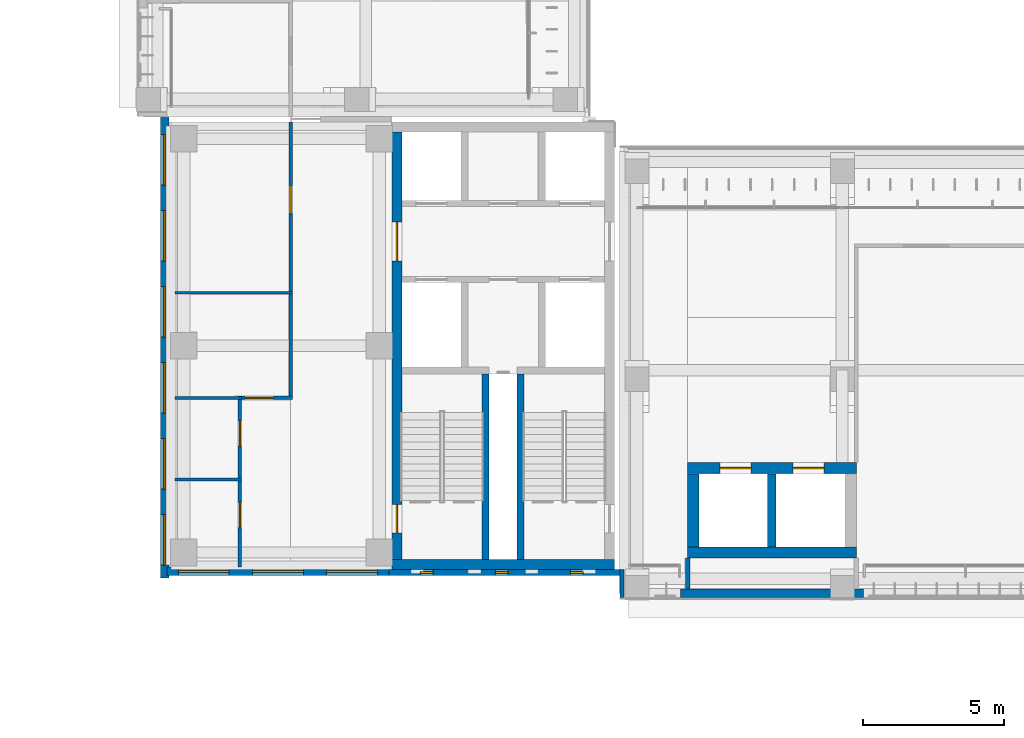
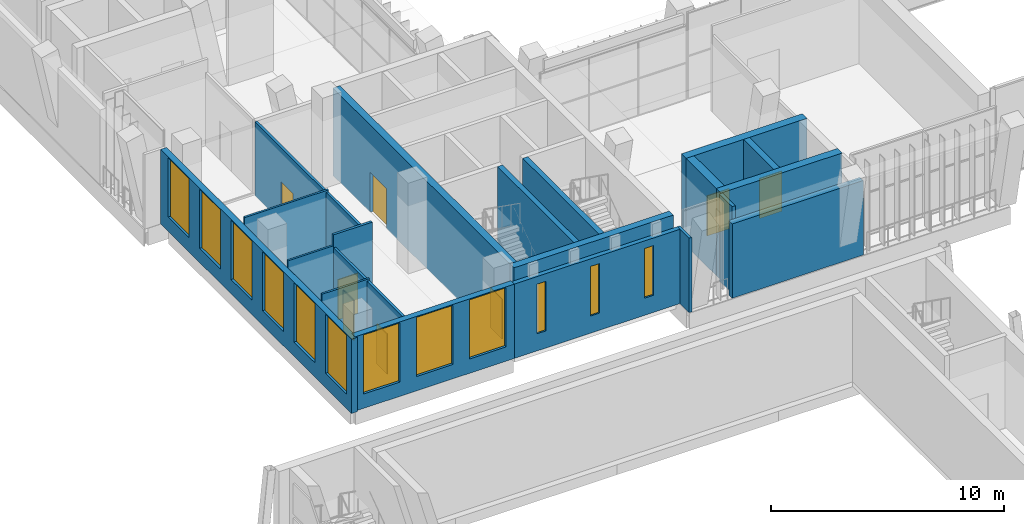
# One storey, part 59 of 92: 20 walls, 12 windows, 8 doors, 20 openings.
"""IFC4 building model written with IfcOpenShell, lengths in metres."""

from ifc_helpers import new_model, si_unit, direction, frame, frame_2d, origin, place, context, subcontext, project, spatial, rectangle, extrude, material, layer, layer_set, type_object, element, fill, save


model = new_model("IFC4")

# Units and contexts
model_context = context("Model", 3, precision=1e-05, world=origin(), true_north=direction((0.0, 1.0)))
body_context = subcontext(model_context, "Body", "Model", "MODEL_VIEW")
ifc_project = project(units=[si_unit("LENGTHUNIT", "METRE"), si_unit("AREAUNIT", "SQUARE_METRE"), si_unit("VOLUMEUNIT", "CUBIC_METRE"), si_unit("PLANEANGLEUNIT", "RADIAN"), si_unit("MASSUNIT", "GRAM", prefix="KILO")], contexts=[model_context])

# Site, building, storey
site_placement = place(None, origin())
site = spatial("IfcSite", under=ifc_project, at=site_placement, CompositionType="ELEMENT")
building_placement = place(site_placement, origin())
building = spatial("IfcBuilding", under=site, at=building_placement, Name="Lantern Court Media Centre", CompositionType="ELEMENT")
storey_placement = place(building_placement, frame((0.0, 0.0, 4.800048828125)))
storey = spatial("IfcBuildingStorey", under=building, at=storey_placement, Name="L01", CompositionType="ELEMENT", Elevation=4.800048828125)

# Wall, opening, door
ifc_material_1 = material(Name="Gypsum board partition")
ifc_layer_1 = layer(ifc_material_1, 0.125)
ifc_layer_set_1 = layer_set([ifc_layer_1], Name="Gypsum board partition")
wall_type_1 = type_object("IfcWallType", Name="Corridor partition 125", PredefinedType="PARTITIONING", material=ifc_layer_set_1)
wall_1_placement = place(storey_placement, frame((12.39990234375, 54.154052734375, 0.0), z_axis=(0.0, 0.0, 1.0), x_axis=(0.0, 1.0, 0.0)))
wall_1 = element("IfcWall", 1, at=wall_1_placement, inside=storey, type_object=wall_type_1, Name="L01 partition 023", PredefinedType="PARTITIONING", context=body_context, shape_type="SweptSolid", body=[
    extrude(rectangle(XDim=9.745849609375, YDim=0.125, at=frame_2d((4.873046875, 0.0))), origin(), (0.0, 0.0, 1.0), 3.8798828125),
])
opening_1_placement = place(wall_1_placement, frame((6.48486328125, 0.0, 0.0)))
opening_1 = element("IfcOpeningElement", 2, at=opening_1_placement, cuts=wall_1, Name="Opening L01-022", PredefinedType="OPENING", context=body_context, shape_type="SweptSolid", body=[
    extrude(rectangle(XDim=1.0, YDim=2.10009765625, at=frame_2d((0.5, 1.050048828125))), frame((0.0, 0.072509765625, 0.0), z_axis=(0.0, -1.0, 0.0), x_axis=(1.0, 0.0, 0.0)), (0.0, 0.0, 1.0), 0.14501953125),
])
ifc_material_2 = material(Name="Solid-core timber door leaf", Category="wood")
door_type_1 = type_object("IfcDoorType", Name="Single door 1000x2100", OperationType="NOTDEFINED", PredefinedType="DOOR", material=ifc_material_2)
door_1_placement = place(opening_1_placement, origin())
door_1 = element("IfcDoor", 3, at=door_1_placement, inside=storey, type_object=door_type_1, Name="L01 Conservation Laboratory door", OperationType="SINGLE_SWING_LEFT", OverallHeight=2.10009765625, OverallWidth=1.0, PredefinedType="DOOR", context=body_context, shape_type="SweptSolid", body=[
    extrude(rectangle(XDim=1.0, YDim=2.10009765625, at=frame_2d((0.5, 1.050048828125))), frame((0.0, 0.02490234375, 0.0), z_axis=(0.0, -1.0, 0.0), x_axis=(1.0, 0.0, 0.0)), (0.0, 0.0, 1.0), 0.050048828125),
])
fill(opening_1, door_1)

wall_2_placement = place(storey_placement, frame((10.53759765625, 54.092041015625, 0.0), z_axis=(0.0, 0.0, 1.0), x_axis=(1.0, 0.0, 0.0)))
wall_2 = element("IfcWall", 4, at=wall_2_placement, inside=storey, type_object=wall_type_1, Name="L01 partition 041", PredefinedType="PARTITIONING", context=body_context, shape_type="SweptSolid", body=[
    extrude(rectangle(XDim=1.9248046875, YDim=0.125, at=frame_2d((0.96240234375, 0.0))), origin(), (0.0, 0.0, 1.0), 4.56005859375),
])
opening_2_placement = place(wall_2_placement, frame((0.245849609375, 0.0, 0.0)))
opening_2 = element("IfcOpeningElement", 5, at=opening_2_placement, cuts=wall_2, Name="Opening L01-021", PredefinedType="OPENING", context=body_context, shape_type="SweptSolid", body=[
    extrude(rectangle(XDim=1.0, YDim=2.10009765625, at=frame_2d((0.5, 1.050048828125))), frame((0.0, 0.072509765625, 0.0), z_axis=(0.0, -1.0, 0.0), x_axis=(1.0, 0.0, 0.0)), (0.0, 0.0, 1.0), 0.14501953125),
])
door_2_placement = place(opening_2_placement, origin())
door_2 = element("IfcDoor", 6, at=door_2_placement, inside=storey, type_object=door_type_1, Name="L01 Library Administration Office door", OperationType="SINGLE_SWING_RIGHT", OverallHeight=2.10009765625, OverallWidth=1.0, PredefinedType="DOOR", context=body_context, shape_type="SweptSolid", body=[
    extrude(rectangle(XDim=1.0, YDim=2.10009765625, at=frame_2d((0.5, 1.050048828125))), frame((0.0, 0.02490234375, 0.0), z_axis=(0.0, -1.0, 0.0), x_axis=(1.0, 0.0, 0.0)), (0.0, 0.0, 1.0), 0.050048828125),
])
fill(opening_2, door_2)

# Wall, openings, doors
wall_3_placement = place(storey_placement, frame((10.60009765625, 48.080078125, 0.0), z_axis=(0.0, 0.0, 1.0), x_axis=(0.0, 1.0, 0.0)))
wall_3 = element("IfcWall", 7, at=wall_3_placement, inside=storey, type_object=wall_type_1, Name="L01 partition 043", PredefinedType="PARTITIONING", context=body_context, shape_type="SweptSolid", body=[
    extrude(rectangle(XDim=5.948974609375, YDim=0.125, at=frame_2d((2.974609375, 0.0))), origin(), (0.0, 0.0, 1.0), 3.8798828125),
])
opening_3_placement = place(wall_3_placement, frame((1.406494140625, 0.0, 0.0)))
opening_3 = element("IfcOpeningElement", 8, at=opening_3_placement, cuts=wall_3, Name="Opening L01-023", PredefinedType="OPENING", context=body_context, shape_type="SweptSolid", body=[
    extrude(rectangle(XDim=0.89990234375, YDim=2.10009765625, at=frame_2d((0.449951171875, 1.050048828125))), frame((0.0, 0.072509765625, 0.0), z_axis=(0.0, -1.0, 0.0), x_axis=(1.0, 0.0, 0.0)), (0.0, 0.0, 1.0), 0.14501953125),
])
opening_4_placement = place(wall_3_placement, frame((4.30224609375, 0.0, 0.0)))
opening_4 = element("IfcOpeningElement", 9, at=opening_4_placement, cuts=wall_3, Name="Opening L01-024", PredefinedType="OPENING", context=body_context, shape_type="SweptSolid", body=[
    extrude(rectangle(XDim=0.89990234375, YDim=2.10009765625, at=frame_2d((0.449951171875, 1.050048828125))), frame((0.0, 0.072509765625, 0.0), z_axis=(0.0, -1.0, 0.0), x_axis=(1.0, 0.0, 0.0)), (0.0, 0.0, 1.0), 0.14501953125),
])
door_type_2 = type_object("IfcDoorType", Name="Single door 900x2100", OperationType="NOTDEFINED", PredefinedType="DOOR", material=ifc_material_2)
door_3_placement = place(opening_3_placement, origin())
door_3 = element("IfcDoor", 10, at=door_3_placement, inside=storey, type_object=door_type_2, Name="L01 WC Male door", OperationType="SINGLE_SWING_RIGHT", OverallHeight=2.10009765625, OverallWidth=0.89990234375, PredefinedType="DOOR", context=body_context, shape_type="SweptSolid", body=[
    extrude(rectangle(XDim=0.89990234375, YDim=2.10009765625, at=frame_2d((0.449951171875, 1.050048828125))), frame((0.0, 0.02490234375, 0.0), z_axis=(0.0, -1.0, 0.0), x_axis=(1.0, 0.0, 0.0)), (0.0, 0.0, 1.0), 0.050048828125),
])
fill(opening_3, door_3)
door_4_placement = place(opening_4_placement, origin())
door_4 = element("IfcDoor", 11, at=door_4_placement, inside=storey, type_object=door_type_2, Name="L01 WC Female door", OperationType="SINGLE_SWING_LEFT", OverallHeight=2.10009765625, OverallWidth=0.89990234375, PredefinedType="DOOR", context=body_context, shape_type="SweptSolid", body=[
    extrude(rectangle(XDim=0.89990234375, YDim=2.10009765625, at=frame_2d((0.449951171875, 1.050048828125))), frame((0.0, 0.02490234375, 0.0), z_axis=(0.0, -1.0, 0.0), x_axis=(1.0, 0.0, 0.0)), (0.0, 0.0, 1.0), 0.050048828125),
])
fill(opening_4, door_4)

# Wall, openings, windows
ifc_material_3 = material(Name="Honed limestone cladding on blockwork", Category="masonry")
ifc_layer_2 = layer(ifc_material_3, 0.300048828125)
ifc_layer_set_2 = layer_set([ifc_layer_2], Name="Honed limestone cladding on blockwork")
wall_type_2 = type_object("IfcWallType", Name="Limestone block wall 300", PredefinedType="SOLIDWALL", material=ifc_layer_set_2)
wall_4_placement = place(storey_placement, frame((7.929931640625, 47.699951171875, 0.0), z_axis=(0.0, 0.0, 1.0), x_axis=(0.0, 1.0, 0.0)))
wall_4 = element("IfcWall", 12, at=wall_4_placement, inside=storey, type_object=wall_type_2, Name="Limestone wall SW W L01", PredefinedType="SOLIDWALL", context=body_context, shape_type="SweptSolid", body=[
    extrude(rectangle(XDim=16.400146484375, YDim=0.300048828125, at=frame_2d((8.2001953125, 0.0))), origin(), (0.0, 0.0, 1.0), 3.89990234375),
])
opening_5_placement = place(wall_4_placement, frame((0.449951171875, 0.0, 0.75)))
opening_5 = element("IfcOpeningElement", 13, at=opening_5_placement, cuts=wall_4, Name="Opening WN-F", PredefinedType="OPENING", context=body_context, shape_type="SweptSolid", body=[
    extrude(rectangle(XDim=1.800048828125, YDim=3.10009765625, at=frame_2d((0.89990234375, 1.550048828125))), frame((0.0, 0.159912109375, 0.0), z_axis=(0.0, -1.0, 0.0), x_axis=(1.0, 0.0, 0.0)), (0.0, 0.0, 1.0), 0.320068359375),
])
opening_6_placement = place(wall_4_placement, frame((3.14990234375, 0.0, 0.75)))
opening_6 = element("IfcOpeningElement", 14, at=opening_6_placement, cuts=wall_4, Name="Opening WN-F", PredefinedType="OPENING", context=body_context, shape_type="SweptSolid", body=[
    extrude(rectangle(XDim=1.800048828125, YDim=3.10009765625, at=frame_2d((0.89990234375, 1.550048828125))), frame((0.0, 0.159912109375, 0.0), z_axis=(0.0, -1.0, 0.0), x_axis=(1.0, 0.0, 0.0)), (0.0, 0.0, 1.0), 0.320068359375),
])
opening_7_placement = place(wall_4_placement, frame((5.85009765625, 0.0, 0.75)))
opening_7 = element("IfcOpeningElement", 15, at=opening_7_placement, cuts=wall_4, Name="Opening WN-F", PredefinedType="OPENING", context=body_context, shape_type="SweptSolid", body=[
    extrude(rectangle(XDim=1.800048828125, YDim=3.10009765625, at=frame_2d((0.89990234375, 1.550048828125))), frame((0.0, 0.159912109375, 0.0), z_axis=(0.0, -1.0, 0.0), x_axis=(1.0, 0.0, 0.0)), (0.0, 0.0, 1.0), 0.320068359375),
])
opening_8_placement = place(wall_4_placement, frame((8.550048828125, 0.0, 0.75)))
opening_8 = element("IfcOpeningElement", 16, at=opening_8_placement, cuts=wall_4, Name="Opening WN-F", PredefinedType="OPENING", context=body_context, shape_type="SweptSolid", body=[
    extrude(rectangle(XDim=1.800048828125, YDim=3.10009765625, at=frame_2d((0.89990234375, 1.550048828125))), frame((0.0, 0.159912109375, 0.0), z_axis=(0.0, -1.0, 0.0), x_axis=(1.0, 0.0, 0.0)), (0.0, 0.0, 1.0), 0.320068359375),
])
opening_9_placement = place(wall_4_placement, frame((11.25, 0.0, 0.75)))
opening_9 = element("IfcOpeningElement", 17, at=opening_9_placement, cuts=wall_4, Name="Opening WN-F", PredefinedType="OPENING", context=body_context, shape_type="SweptSolid", body=[
    extrude(rectangle(XDim=1.800048828125, YDim=3.10009765625, at=frame_2d((0.89990234375, 1.550048828125))), frame((0.0, 0.159912109375, 0.0), z_axis=(0.0, -1.0, 0.0), x_axis=(1.0, 0.0, 0.0)), (0.0, 0.0, 1.0), 0.320068359375),
])
opening_10_placement = place(wall_4_placement, frame((13.949951171875, 0.0, 0.75)))
opening_10 = element("IfcOpeningElement", 18, at=opening_10_placement, cuts=wall_4, Name="Opening WN-F", PredefinedType="OPENING", context=body_context, shape_type="SweptSolid", body=[
    extrude(rectangle(XDim=1.800048828125, YDim=3.10009765625, at=frame_2d((0.89990234375, 1.550048828125))), frame((0.0, 0.159912109375, 0.0), z_axis=(0.0, -1.0, 0.0), x_axis=(1.0, 0.0, 0.0)), (0.0, 0.0, 1.0), 0.320068359375),
])
ifc_material_4 = material(Name="Anodised aluminium and glass", Category="aluminium")
window_type_1 = type_object("IfcWindowType", Name="Foyer window 1800x3100", PartitioningType="SINGLE_PANEL", PredefinedType="WINDOW", material=ifc_material_4)
window_1_placement = place(opening_5_placement, origin())
window_1 = element("IfcWindow", 19, at=window_1_placement, inside=storey, type_object=window_type_1, Name="Window SW W L01", OverallHeight=3.10009765625, OverallWidth=1.800048828125, PartitioningType="SINGLE_PANEL", PredefinedType="WINDOW", context=body_context, shape_type="SweptSolid", body=[
    extrude(rectangle(XDim=1.800048828125, YDim=3.10009765625, at=frame_2d((0.89990234375, 1.550048828125))), frame((0.0, 0.030029296875, 0.0), z_axis=(0.0, -1.0, 0.0), x_axis=(1.0, 0.0, 0.0)), (0.0, 0.0, 1.0), 0.06005859375),
])
fill(opening_5, window_1)
window_2_placement = place(opening_6_placement, origin())
window_2 = element("IfcWindow", 20, at=window_2_placement, inside=storey, type_object=window_type_1, Name="Window SW W L01", OverallHeight=3.10009765625, OverallWidth=1.800048828125, PartitioningType="SINGLE_PANEL", PredefinedType="WINDOW", context=body_context, shape_type="SweptSolid", body=[
    extrude(rectangle(XDim=1.800048828125, YDim=3.10009765625, at=frame_2d((0.89990234375, 1.550048828125))), frame((0.0, 0.030029296875, 0.0), z_axis=(0.0, -1.0, 0.0), x_axis=(1.0, 0.0, 0.0)), (0.0, 0.0, 1.0), 0.06005859375),
])
fill(opening_6, window_2)
window_3_placement = place(opening_7_placement, origin())
window_3 = element("IfcWindow", 21, at=window_3_placement, inside=storey, type_object=window_type_1, Name="Window SW W L01", OverallHeight=3.10009765625, OverallWidth=1.800048828125, PartitioningType="SINGLE_PANEL", PredefinedType="WINDOW", context=body_context, shape_type="SweptSolid", body=[
    extrude(rectangle(XDim=1.800048828125, YDim=3.10009765625, at=frame_2d((0.89990234375, 1.550048828125))), frame((0.0, 0.030029296875, 0.0), z_axis=(0.0, -1.0, 0.0), x_axis=(1.0, 0.0, 0.0)), (0.0, 0.0, 1.0), 0.06005859375),
])
fill(opening_7, window_3)
window_4_placement = place(opening_8_placement, origin())
window_4 = element("IfcWindow", 22, at=window_4_placement, inside=storey, type_object=window_type_1, Name="Window SW W L01", OverallHeight=3.10009765625, OverallWidth=1.800048828125, PartitioningType="SINGLE_PANEL", PredefinedType="WINDOW", context=body_context, shape_type="SweptSolid", body=[
    extrude(rectangle(XDim=1.800048828125, YDim=3.10009765625, at=frame_2d((0.89990234375, 1.550048828125))), frame((0.0, 0.030029296875, 0.0), z_axis=(0.0, -1.0, 0.0), x_axis=(1.0, 0.0, 0.0)), (0.0, 0.0, 1.0), 0.06005859375),
])
fill(opening_8, window_4)
window_5_placement = place(opening_9_placement, origin())
window_5 = element("IfcWindow", 23, at=window_5_placement, inside=storey, type_object=window_type_1, Name="Window SW W L01", OverallHeight=3.10009765625, OverallWidth=1.800048828125, PartitioningType="SINGLE_PANEL", PredefinedType="WINDOW", context=body_context, shape_type="SweptSolid", body=[
    extrude(rectangle(XDim=1.800048828125, YDim=3.10009765625, at=frame_2d((0.89990234375, 1.550048828125))), frame((0.0, 0.030029296875, 0.0), z_axis=(0.0, -1.0, 0.0), x_axis=(1.0, 0.0, 0.0)), (0.0, 0.0, 1.0), 0.06005859375),
])
fill(opening_9, window_5)
window_6_placement = place(opening_10_placement, origin())
window_6 = element("IfcWindow", 24, at=window_6_placement, inside=storey, type_object=window_type_1, Name="Window SW W L01", OverallHeight=3.10009765625, OverallWidth=1.800048828125, PartitioningType="SINGLE_PANEL", PredefinedType="WINDOW", context=body_context, shape_type="SweptSolid", body=[
    extrude(rectangle(XDim=1.800048828125, YDim=3.10009765625, at=frame_2d((0.89990234375, 1.550048828125))), frame((0.0, 0.030029296875, 0.0), z_axis=(0.0, -1.0, 0.0), x_axis=(1.0, 0.0, 0.0)), (0.0, 0.0, 1.0), 0.06005859375),
])
fill(opening_10, window_6)

wall_5_placement = place(storey_placement, frame((8.0, 47.929931640625, 0.0), z_axis=(0.0, 0.0, 1.0), x_axis=(1.0, 0.0, 0.0)))
wall_5 = element("IfcWall", 25, at=wall_5_placement, inside=storey, type_object=wall_type_2, Name="Limestone wall SW S L01", PredefinedType="SOLIDWALL", context=body_context, shape_type="SweptSolid", body=[
    extrude(rectangle(XDim=7.89990234375, YDim=0.300048828125, at=frame_2d((3.949951171875, 0.0))), origin(), (0.0, 0.0, 1.0), 3.89990234375),
])
opening_11_placement = place(wall_5_placement, frame((0.416748046875, 0.0, 0.75)))
opening_11 = element("IfcOpeningElement", 26, at=opening_11_placement, cuts=wall_5, Name="Opening WN-F", PredefinedType="OPENING", context=body_context, shape_type="SweptSolid", body=[
    extrude(rectangle(XDim=1.800048828125, YDim=3.10009765625, at=frame_2d((0.89990234375, 1.550048828125))), frame((0.0, 0.159912109375, 0.0), z_axis=(0.0, -1.0, 0.0), x_axis=(1.0, 0.0, 0.0)), (0.0, 0.0, 1.0), 0.320068359375),
])
opening_12_placement = place(wall_5_placement, frame((3.050048828125, 0.0, 0.75)))
opening_12 = element("IfcOpeningElement", 27, at=opening_12_placement, cuts=wall_5, Name="Opening WN-F", PredefinedType="OPENING", context=body_context, shape_type="SweptSolid", body=[
    extrude(rectangle(XDim=1.800048828125, YDim=3.10009765625, at=frame_2d((0.89990234375, 1.550048828125))), frame((0.0, 0.159912109375, 0.0), z_axis=(0.0, -1.0, 0.0), x_axis=(1.0, 0.0, 0.0)), (0.0, 0.0, 1.0), 0.320068359375),
])
opening_13_placement = place(wall_5_placement, frame((5.683349609375, 0.0, 0.75)))
opening_13 = element("IfcOpeningElement", 28, at=opening_13_placement, cuts=wall_5, Name="Opening WN-F", PredefinedType="OPENING", context=body_context, shape_type="SweptSolid", body=[
    extrude(rectangle(XDim=1.800048828125, YDim=3.10009765625, at=frame_2d((0.89990234375, 1.550048828125))), frame((0.0, 0.159912109375, 0.0), z_axis=(0.0, -1.0, 0.0), x_axis=(1.0, 0.0, 0.0)), (0.0, 0.0, 1.0), 0.320068359375),
])
window_7_placement = place(opening_11_placement, origin())
window_7 = element("IfcWindow", 29, at=window_7_placement, inside=storey, type_object=window_type_1, Name="Window SW S L01", OverallHeight=3.10009765625, OverallWidth=1.800048828125, PartitioningType="SINGLE_PANEL", PredefinedType="WINDOW", context=body_context, shape_type="SweptSolid", body=[
    extrude(rectangle(XDim=1.800048828125, YDim=3.10009765625, at=frame_2d((0.89990234375, 1.550048828125))), frame((0.0, 0.030029296875, 0.0), z_axis=(0.0, -1.0, 0.0), x_axis=(1.0, 0.0, 0.0)), (0.0, 0.0, 1.0), 0.06005859375),
])
fill(opening_11, window_7)
window_8_placement = place(opening_12_placement, origin())
window_8 = element("IfcWindow", 30, at=window_8_placement, inside=storey, type_object=window_type_1, Name="Window SW S L01", OverallHeight=3.10009765625, OverallWidth=1.800048828125, PartitioningType="SINGLE_PANEL", PredefinedType="WINDOW", context=body_context, shape_type="SweptSolid", body=[
    extrude(rectangle(XDim=1.800048828125, YDim=3.10009765625, at=frame_2d((0.89990234375, 1.550048828125))), frame((0.0, 0.030029296875, 0.0), z_axis=(0.0, -1.0, 0.0), x_axis=(1.0, 0.0, 0.0)), (0.0, 0.0, 1.0), 0.06005859375),
])
fill(opening_12, window_8)
window_9_placement = place(opening_13_placement, origin())
window_9 = element("IfcWindow", 31, at=window_9_placement, inside=storey, type_object=window_type_1, Name="Window SW S L01", OverallHeight=3.10009765625, OverallWidth=1.800048828125, PartitioningType="SINGLE_PANEL", PredefinedType="WINDOW", context=body_context, shape_type="SweptSolid", body=[
    extrude(rectangle(XDim=1.800048828125, YDim=3.10009765625, at=frame_2d((0.89990234375, 1.550048828125))), frame((0.0, 0.030029296875, 0.0), z_axis=(0.0, -1.0, 0.0), x_axis=(1.0, 0.0, 0.0)), (0.0, 0.0, 1.0), 0.06005859375),
])
fill(opening_13, window_9)

# Walls
ifc_layer_3 = layer(ifc_material_3, 0.139892578125)
ifc_layer_set_3 = layer_set([ifc_layer_3], Name="Honed limestone cladding on blockwork")
wall_type_3 = type_object("IfcWallType", Name="Limestone closure wall 140", PredefinedType="SOLIDWALL", material=ifc_layer_set_3)
wall_6_placement = place(storey_placement, frame((24.169921875, 47.0, 0.0), z_axis=(0.0, 0.0, 1.0), x_axis=(0.0, 1.0, 0.0)))
element("IfcWall", 32, at=wall_6_placement, inside=storey, type_object=wall_type_3, Name="Limestone closure wall S-SW L01", PredefinedType="SOLIDWALL", context=body_context, shape_type="SweptSolid", body=[
    extrude(rectangle(XDim=1.0, YDim=0.139892578125, at=frame_2d((0.5, 0.0))), origin(), (0.0, 0.0, 1.0), 3.89990234375),
])
ifc_layer_4 = layer(ifc_material_3, 0.300048828125)
ifc_layer_set_4 = layer_set([ifc_layer_4], Name="Honed limestone cladding on blockwork")
wall_type_4 = type_object("IfcWallType", Name="Limestone flank wall 300", PredefinedType="SOLIDWALL", material=ifc_layer_set_4)
wall_7_placement = place(storey_placement, frame((26.25, 47.14990234375, 0.0), z_axis=(0.0, 0.0, 1.0), x_axis=(1.0, 0.0, 0.0)))
element("IfcWall", 33, at=wall_7_placement, inside=storey, type_object=wall_type_4, Name="Limestone flank wall S outer L01", PredefinedType="SOLIDWALL", context=body_context, shape_type="SweptSolid", body=[
    extrude(rectangle(XDim=6.5, YDim=0.300048828125, at=frame_2d((3.25, 0.0))), origin(), (0.0, 0.0, 1.0), 3.89990234375),
])

# Wall, openings, windows
ifc_material_5 = material(Name="Honed limestone cladding on blockwork, reduced to 220 where it passes the core wall", Category="masonry")
ifc_layer_5 = layer(ifc_material_5, 0.219970703125)
ifc_layer_set_5 = layer_set([ifc_layer_5], Name="Honed limestone cladding on blockwork, reduced to 220 where it passes the core wall")
wall_type_5 = type_object("IfcWallType", Name="Limestone skin wall 220", PredefinedType="SOLIDWALL", material=ifc_layer_set_5)
wall_8_placement = place(storey_placement, frame((15.89990234375, 47.889892578125, 0.0), z_axis=(0.0, 0.0, 1.0), x_axis=(1.0, 0.0, 0.0)))
wall_8 = element("IfcWall", 34, at=wall_8_placement, inside=storey, type_object=wall_type_5, Name="Limestone wall SW S L01", PredefinedType="SOLIDWALL", context=body_context, shape_type="SweptSolid", body=[
    extrude(rectangle(XDim=8.2001953125, YDim=0.219970703125, at=frame_2d((4.10009765625, 0.0))), origin(), (0.0, 0.0, 1.0), 3.89990234375),
])
opening_14_placement = place(wall_8_placement, frame((1.1083984375, 0.0, 0.89990234375)))
opening_14 = element("IfcOpeningElement", 35, at=opening_14_placement, cuts=wall_8, Name="Opening WN-S", PredefinedType="OPENING", context=body_context, shape_type="SweptSolid", body=[
    extrude(rectangle(XDim=0.449951171875, YDim=2.60009765625, at=frame_2d((0.22509765625, 1.300048828125))), frame((0.0, 0.119873046875, 0.0), z_axis=(0.0, -1.0, 0.0), x_axis=(1.0, 0.0, 0.0)), (0.0, 0.0, 1.0), 0.239990234375),
])
opening_15_placement = place(wall_8_placement, frame((3.77490234375, 0.0, 0.89990234375)))
opening_15 = element("IfcOpeningElement", 36, at=opening_15_placement, cuts=wall_8, Name="Opening WN-S", PredefinedType="OPENING", context=body_context, shape_type="SweptSolid", body=[
    extrude(rectangle(XDim=0.449951171875, YDim=2.60009765625, at=frame_2d((0.22509765625, 1.300048828125))), frame((0.0, 0.119873046875, 0.0), z_axis=(0.0, -1.0, 0.0), x_axis=(1.0, 0.0, 0.0)), (0.0, 0.0, 1.0), 0.239990234375),
])
opening_16_placement = place(wall_8_placement, frame((6.441650390625, 0.0, 0.89990234375)))
opening_16 = element("IfcOpeningElement", 37, at=opening_16_placement, cuts=wall_8, Name="Opening WN-S", PredefinedType="OPENING", context=body_context, shape_type="SweptSolid", body=[
    extrude(rectangle(XDim=0.449951171875, YDim=2.60009765625, at=frame_2d((0.22509765625, 1.300048828125))), frame((0.0, 0.119873046875, 0.0), z_axis=(0.0, -1.0, 0.0), x_axis=(1.0, 0.0, 0.0)), (0.0, 0.0, 1.0), 0.239990234375),
])
window_type_2 = type_object("IfcWindowType", Name="Stair slit window 450x2600", PartitioningType="SINGLE_PANEL", PredefinedType="WINDOW", material=ifc_material_4)
window_10_placement = place(opening_14_placement, origin())
window_10 = element("IfcWindow", 38, at=window_10_placement, inside=storey, type_object=window_type_2, Name="Window SW S L01", OverallHeight=2.60009765625, OverallWidth=0.449951171875, PartitioningType="SINGLE_PANEL", PredefinedType="WINDOW", context=body_context, shape_type="SweptSolid", body=[
    extrude(rectangle(XDim=0.449951171875, YDim=2.60009765625, at=frame_2d((0.22509765625, 1.300048828125))), frame((0.0, 0.030029296875, 0.0), z_axis=(0.0, -1.0, 0.0), x_axis=(1.0, 0.0, 0.0)), (0.0, 0.0, 1.0), 0.06005859375),
])
fill(opening_14, window_10)
window_11_placement = place(opening_15_placement, origin())
window_11 = element("IfcWindow", 39, at=window_11_placement, inside=storey, type_object=window_type_2, Name="Window SW S L01", OverallHeight=2.60009765625, OverallWidth=0.449951171875, PartitioningType="SINGLE_PANEL", PredefinedType="WINDOW", context=body_context, shape_type="SweptSolid", body=[
    extrude(rectangle(XDim=0.449951171875, YDim=2.60009765625, at=frame_2d((0.22509765625, 1.300048828125))), frame((0.0, 0.030029296875, 0.0), z_axis=(0.0, -1.0, 0.0), x_axis=(1.0, 0.0, 0.0)), (0.0, 0.0, 1.0), 0.06005859375),
])
fill(opening_15, window_11)
window_12_placement = place(opening_16_placement, origin())
window_12 = element("IfcWindow", 40, at=window_12_placement, inside=storey, type_object=window_type_2, Name="Window SW S L01", OverallHeight=2.60009765625, OverallWidth=0.449951171875, PartitioningType="SINGLE_PANEL", PredefinedType="WINDOW", context=body_context, shape_type="SweptSolid", body=[
    extrude(rectangle(XDim=0.449951171875, YDim=2.60009765625, at=frame_2d((0.22509765625, 1.300048828125))), frame((0.0, 0.030029296875, 0.0), z_axis=(0.0, -1.0, 0.0), x_axis=(1.0, 0.0, 0.0)), (0.0, 0.0, 1.0), 0.06005859375),
])
fill(opening_16, window_12)

# Walls
ifc_layer_6 = layer(ifc_material_1, 0.10009765625)
ifc_layer_set_6 = layer_set([ifc_layer_6], Name="Gypsum board partition")
wall_type_6 = type_object("IfcWallType", Name="Partition 100", PredefinedType="PARTITIONING", material=ifc_layer_set_6)
wall_9_placement = place(storey_placement, frame((8.300048828125, 54.092041015625, 0.0), z_axis=(0.0, 0.0, 1.0), x_axis=(1.0, 0.0, 0.0)))
element("IfcWall", 41, at=wall_9_placement, inside=storey, type_object=wall_type_6, Name="L01 partition 040", PredefinedType="PARTITIONING", context=body_context, shape_type="SweptSolid", body=[
    extrude(rectangle(XDim=2.362548828125, YDim=0.10009765625, at=frame_2d((1.18115234375, 0.0))), origin(), (0.0, 0.0, 1.0), 3.97998046875),
])
wall_10_placement = place(storey_placement, frame((8.300048828125, 57.827880859375, 0.0), z_axis=(0.0, 0.0, 1.0), x_axis=(1.0, 0.0, 0.0)))
element("IfcWall", 42, at=wall_10_placement, inside=storey, type_object=wall_type_6, Name="L01 partition 042", PredefinedType="PARTITIONING", context=body_context, shape_type="SweptSolid", body=[
    extrude(rectangle(XDim=4.162353515625, YDim=0.10009765625, at=frame_2d((2.0810546875, 0.0))), origin(), (0.0, 0.0, 1.0), 3.97998046875),
])
wall_11_placement = place(storey_placement, frame((8.300048828125, 51.196044921875, 0.0), z_axis=(0.0, 0.0, 1.0), x_axis=(1.0, 0.0, 0.0)))
element("IfcWall", 43, at=wall_11_placement, inside=storey, type_object=wall_type_6, Name="L01 partition 045", PredefinedType="PARTITIONING", context=body_context, shape_type="SweptSolid", body=[
    extrude(rectangle(XDim=2.362548828125, YDim=0.10009765625, at=frame_2d((1.18115234375, 0.0))), origin(), (0.0, 0.0, 1.0), 3.97998046875),
])
ifc_material_6 = material(Name="Concrete C40", Category="concrete")
ifc_layer_7 = layer(ifc_material_6, 0.35009765625)
ifc_layer_set_7 = layer_set([ifc_layer_7], Name="Concrete C40")
wall_type_7 = type_object("IfcWallType", Name="RC CORE WALL 350", PredefinedType="SHEAR", material=ifc_layer_set_7)
wall_12_placement = place(storey_placement, frame((16.0, 48.175048828125, 0.0), z_axis=(0.0, 0.0, 1.0), x_axis=(1.0, 0.0, 0.0)))
element("IfcWall", 44, at=wall_12_placement, inside=storey, type_object=wall_type_7, Name="WC-SW-L01-S", PredefinedType="SHEAR", context=body_context, shape_type="SweptSolid", body=[
    extrude(rectangle(XDim=7.89990234375, YDim=0.35009765625, at=frame_2d((3.949951171875, 0.0))), origin(), (0.0, 0.0, 1.0), 4.579833984375),
])

# Wall, openings, doors
wall_13_placement = place(storey_placement, frame((16.175048828125, 48.35009765625, 0.0), z_axis=(0.0, 0.0, 1.0), x_axis=(0.0, 1.0, 0.0)))
wall_13 = element("IfcWall", 45, at=wall_13_placement, inside=storey, type_object=wall_type_7, Name="WC-SW-L01-W", PredefinedType="SHEAR", context=body_context, shape_type="SweptSolid", body=[
    extrude(rectangle(XDim=15.199951171875, YDim=0.35009765625, at=frame_2d((7.60009765625, 0.0))), origin(), (0.0, 0.0, 1.0), 4.579833984375),
])
opening_17_placement = place(wall_13_placement, frame((0.949951171875, 0.0, 0.0)))
opening_17 = element("IfcOpeningElement", 46, at=opening_17_placement, cuts=wall_13, Name="Opening SW-L01-01", PredefinedType="OPENING", context=body_context, shape_type="SweptSolid", body=[
    extrude(rectangle(XDim=1.0, YDim=2.10009765625, at=frame_2d((0.5, 1.050048828125))), frame((0.0, 0.18505859375, 0.0), z_axis=(0.0, -1.0, 0.0), x_axis=(1.0, 0.0, 0.0)), (0.0, 0.0, 1.0), 0.3701171875),
])
opening_18_placement = place(wall_13_placement, frame((10.60009765625, 0.0, 0.0)))
opening_18 = element("IfcOpeningElement", 47, at=opening_18_placement, cuts=wall_13, Name="Opening SW-L01-05", PredefinedType="OPENING", context=body_context, shape_type="SweptSolid", body=[
    extrude(rectangle(XDim=1.39990234375, YDim=2.10009765625, at=frame_2d((0.699951171875, 1.050048828125))), frame((0.0, 0.18505859375, 0.0), z_axis=(0.0, -1.0, 0.0), x_axis=(1.0, 0.0, 0.0)), (0.0, 0.0, 1.0), 0.3701171875),
])
ifc_material_7 = material(Name="Steel door leaf", Category="steel")
door_type_3 = type_object("IfcDoorType", Name="Lift lobby double door 1400x2100", OperationType="NOTDEFINED", PredefinedType="DOOR", material=ifc_material_7)
door_5_placement = place(opening_18_placement, origin())
door_5 = element("IfcDoor", 48, at=door_5_placement, inside=storey, type_object=door_type_3, Name="L01 SW lift lobby west door", OperationType="SINGLE_SWING_LEFT", OverallHeight=2.10009765625, OverallWidth=1.39990234375, PredefinedType="DOOR", context=body_context, shape_type="SweptSolid", body=[
    extrude(rectangle(XDim=1.39990234375, YDim=2.10009765625, at=frame_2d((0.699951171875, 1.050048828125))), frame((0.0, 0.02490234375, 0.0), z_axis=(0.0, -1.0, 0.0), x_axis=(1.0, 0.0, 0.0)), (0.0, 0.0, 1.0), 0.050048828125),
])
fill(opening_18, door_5)
door_type_4 = type_object("IfcDoorType", Name="Stair door 1000x2100", OperationType="NOTDEFINED", PredefinedType="DOOR", material=ifc_material_7)
door_6_placement = place(opening_17_placement, origin())
door_6 = element("IfcDoor", 49, at=door_6_placement, inside=storey, type_object=door_type_4, Name="L01 SW stair A door", OperationType="SINGLE_SWING_LEFT", OverallHeight=2.10009765625, OverallWidth=1.0, PredefinedType="DOOR", context=body_context, shape_type="SweptSolid", body=[
    extrude(rectangle(XDim=1.0, YDim=2.10009765625, at=frame_2d((0.5, 1.050048828125))), frame((0.0, 0.02490234375, 0.0), z_axis=(0.0, -1.0, 0.0), x_axis=(1.0, 0.0, 0.0)), (0.0, 0.0, 1.0), 0.050048828125),
])
fill(opening_17, door_6)

# Walls
ifc_layer_8 = layer(ifc_material_6, 0.300048828125)
ifc_layer_set_8 = layer_set([ifc_layer_8], Name="Concrete C40")
wall_type_8 = type_object("IfcWallType", Name="RC SHEAR WALL 300", PredefinedType="SHEAR", material=ifc_layer_set_8)
wall_14_placement = place(storey_placement, frame((29.5, 48.800048828125, 0.0), z_axis=(0.0, 0.0, 1.0), x_axis=(0.0, 1.0, 0.0)))
element("IfcWall", 50, at=wall_14_placement, inside=storey, type_object=wall_type_8, Name="WB-S-LC1-L01-D", PredefinedType="SHEAR", context=body_context, shape_type="SweptSolid", body=[
    extrude(rectangle(XDim=2.599853515625, YDim=0.300048828125, at=frame_2d((1.2998046875, 0.0))), origin(), (0.0, 0.0, 1.0), 4.579833984375),
])
ifc_layer_9 = layer(ifc_material_6, 0.39990234375)
ifc_layer_set_9 = layer_set([ifc_layer_9], Name="Concrete C40")
wall_type_9 = type_object("IfcWallType", Name="RC SHEAR WALL 400", PredefinedType="SHEAR", material=ifc_layer_set_9)
wall_15_placement = place(storey_placement, frame((26.5, 48.60009765625, 0.0), z_axis=(0.0, 0.0, 1.0), x_axis=(1.0, 0.0, 0.0)))
element("IfcWall", 51, at=wall_15_placement, inside=storey, type_object=wall_type_9, Name="WB-S-LC1-L01-S", PredefinedType="SHEAR", context=body_context, shape_type="SweptSolid", body=[
    extrude(rectangle(XDim=6.0, YDim=0.39990234375, at=frame_2d((3.0, 0.0))), origin(), (0.0, 0.0, 1.0), 4.579833984375),
])

# Wall, openings, doors
wall_16_placement = place(storey_placement, frame((26.5, 51.60009765625, 0.0), z_axis=(0.0, 0.0, 1.0), x_axis=(1.0, 0.0, 0.0)))
wall_16 = element("IfcWall", 52, at=wall_16_placement, inside=storey, type_object=wall_type_9, Name="WB-S-LC1-L01-N", PredefinedType="SHEAR", context=body_context, shape_type="SweptSolid", body=[
    extrude(rectangle(XDim=6.0, YDim=0.39990234375, at=frame_2d((3.0, 0.0))), origin(), (0.0, 0.0, 1.0), 4.579833984375),
])
opening_19_placement = place(wall_16_placement, frame((1.14990234375, 0.0, 0.0)))
opening_19 = element("IfcOpeningElement", 53, at=opening_19_placement, cuts=wall_16, Name="Opening LD-S-LC1P-L01", PredefinedType="OPENING", context=body_context, shape_type="SweptSolid", body=[
    extrude(rectangle(XDim=1.10009765625, YDim=2.10009765625, at=frame_2d((0.550048828125, 1.050048828125))), frame((0.0, 0.2099609375, 0.0), z_axis=(0.0, -1.0, 0.0), x_axis=(1.0, 0.0, 0.0)), (0.0, 0.0, 1.0), 0.419921875),
])
opening_20_placement = place(wall_16_placement, frame((3.75, 0.0, 0.0)))
opening_20 = element("IfcOpeningElement", 54, at=opening_20_placement, cuts=wall_16, Name="Opening LD-S-LC1S-L01", PredefinedType="OPENING", context=body_context, shape_type="SweptSolid", body=[
    extrude(rectangle(XDim=1.10009765625, YDim=2.10009765625, at=frame_2d((0.550048828125, 1.050048828125))), frame((0.0, 0.2099609375, 0.0), z_axis=(0.0, -1.0, 0.0), x_axis=(1.0, 0.0, 0.0)), (0.0, 0.0, 1.0), 0.419921875),
])
door_type_5 = type_object("IfcDoorType", Name="Lift landing door 1100x2100", OperationType="DOUBLE_DOOR_SLIDING", PredefinedType="DOOR", material=ifc_material_7)
door_7_placement = place(opening_19_placement, origin())
door_7 = element("IfcDoor", 55, at=door_7_placement, inside=storey, type_object=door_type_5, Name="L01 S-LC1 passenger lift landing door", OperationType="DOUBLE_DOOR_SLIDING", OverallHeight=2.10009765625, OverallWidth=1.10009765625, PredefinedType="DOOR", context=body_context, shape_type="SweptSolid", body=[
    extrude(rectangle(XDim=1.10009765625, YDim=2.10009765625, at=frame_2d((0.550048828125, 1.050048828125))), frame((0.0, 0.02490234375, 0.0), z_axis=(0.0, -1.0, 0.0), x_axis=(1.0, 0.0, 0.0)), (0.0, 0.0, 1.0), 0.050048828125),
])
fill(opening_19, door_7)
door_8_placement = place(opening_20_placement, origin())
door_8 = element("IfcDoor", 56, at=door_8_placement, inside=storey, type_object=door_type_5, Name="L01 S-LC1 service lift landing door", OperationType="DOUBLE_DOOR_SLIDING", OverallHeight=2.10009765625, OverallWidth=1.10009765625, PredefinedType="DOOR", context=body_context, shape_type="SweptSolid", body=[
    extrude(rectangle(XDim=1.10009765625, YDim=2.10009765625, at=frame_2d((0.550048828125, 1.050048828125))), frame((0.0, 0.02490234375, 0.0), z_axis=(0.0, -1.0, 0.0), x_axis=(1.0, 0.0, 0.0)), (0.0, 0.0, 1.0), 0.050048828125),
])
fill(opening_20, door_8)

# Walls
wall_17_placement = place(storey_placement, frame((26.699951171875, 48.800048828125, 0.0), z_axis=(0.0, 0.0, 1.0), x_axis=(0.0, 1.0, 0.0)))
element("IfcWall", 57, at=wall_17_placement, inside=storey, type_object=wall_type_9, Name="WB-S-LC1-L01-W", PredefinedType="SHEAR", context=body_context, shape_type="SweptSolid", body=[
    extrude(rectangle(XDim=2.599853515625, YDim=0.39990234375, at=frame_2d((1.2998046875, 0.0))), origin(), (0.0, 0.0, 1.0), 4.579833984375),
])
ifc_layer_10 = layer(ifc_material_6, 0.25)
ifc_layer_set_10 = layer_set([ifc_layer_10], Name="Concrete C40")
wall_type_10 = type_object("IfcWallType", Name="RC stair shaft wall 250", PredefinedType="SOLIDWALL", material=ifc_layer_set_10)
for number, where, z_axis, x_axis, name in (
    (58, (19.324951171875, 48.35009765625, 0.0), (0.0, 0.0, 1.0), (0.0, 1.0, 0.0), "L01 SW SA"),
    (59, (20.574951171875, 48.35009765625, 0.0), (0.0, 0.0, 1.0), (0.0, 1.0, 0.0), "L01 SW SB"),
):
    element("IfcWall", number, at=place(storey_placement, frame(where, z_axis=z_axis, x_axis=x_axis)), inside=storey, type_object=wall_type_10, Name=name, PredefinedType="SOLIDWALL", context=body_context, shape_type="SweptSolid", body=[
        extrude(rectangle(XDim=6.599853515625, YDim=0.25, at=frame_2d((3.2998046875, 0.0))), origin(), (0.0, 0.0, 1.0), 4.550048828125),
    ])
ifc_material_8 = material(Name="Fire-rated gypsum board")
ifc_layer_11 = layer(ifc_material_8, 0.159912109375)
ifc_layer_set_11 = layer_set([ifc_layer_11], Name="Fire-rated gypsum board")
wall_type_11 = type_object("IfcWallType", Name="Riser shaft liner wall 160", PredefinedType="PARTITIONING", material=ifc_layer_set_11)
wall_18_placement = place(storey_placement, frame((26.5, 47.300048828125, 0.0), z_axis=(0.0, 0.0, 1.0), x_axis=(0.0, 1.0, 0.0)))
element("IfcWall", 60, at=wall_18_placement, inside=storey, type_object=wall_type_11, Name="L01 partition 000", PredefinedType="PARTITIONING", context=body_context, shape_type="SweptSolid", body=[
    extrude(rectangle(XDim=1.099853515625, YDim=0.159912109375, at=frame_2d((0.5498046875, 0.0))), origin(), (0.0, 0.0, 1.0), 4.56005859375),
])

save(model, "model.ifc")
